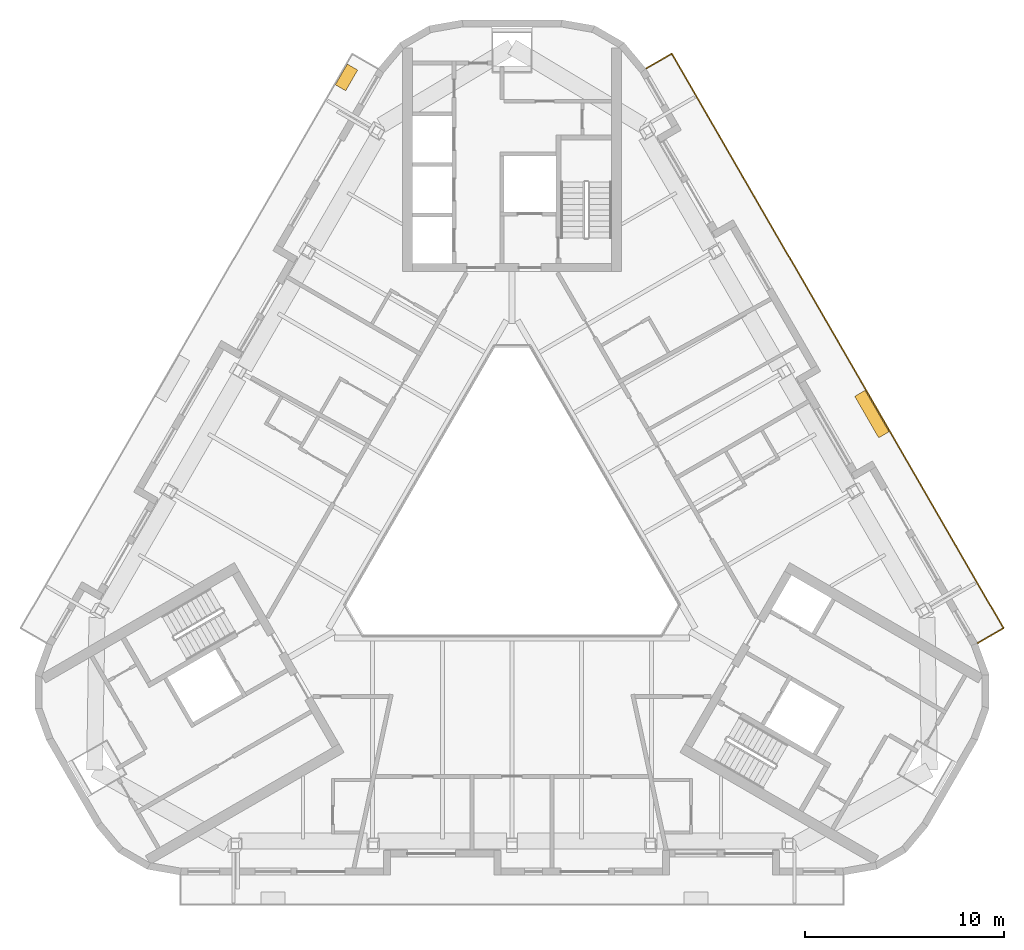
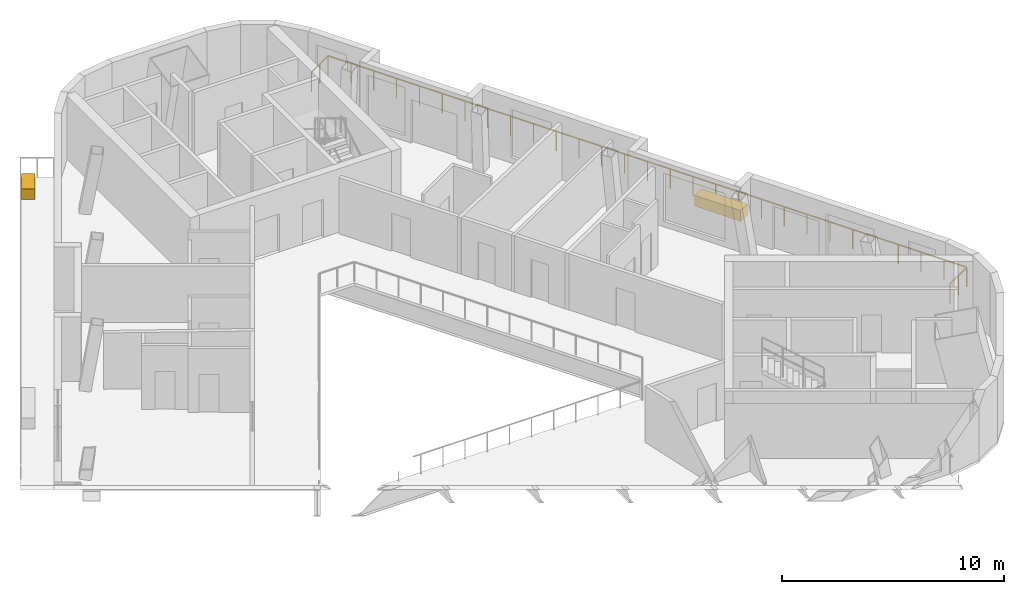
# One storey, part 12 of 13: 2 coverings, 1 railing.
"""IFC4 building model written with IfcOpenShell, lengths in metres."""

from ifc_helpers import new_model, si_unit, direction, frame, origin, origin_2d, place, context, subcontext, project, spatial, rectangle, extrude, material, type_object, element, save


model = new_model("IFC4")

# Units and contexts
model_context = context("Model", 3, precision=1e-05, world=origin(), true_north=direction((0.0, 1.0)))
body_context = subcontext(model_context, "Body", "Model", "MODEL_VIEW")
ifc_project = project(units=[si_unit("LENGTHUNIT", "METRE"), si_unit("AREAUNIT", "SQUARE_METRE"), si_unit("VOLUMEUNIT", "CUBIC_METRE"), si_unit("PLANEANGLEUNIT", "RADIAN"), si_unit("MASSUNIT", "GRAM", prefix="KILO")], contexts=[model_context])

# Site, building, storey
site_placement = place(None, origin())
site = spatial("IfcSite", under=ifc_project, at=site_placement, CompositionType="ELEMENT")
building_placement = place(site_placement, origin())
building = spatial("IfcBuilding", under=site, at=building_placement, Name="Apuvela Tower Hotel", CompositionType="ELEMENT")
storey_placement = place(building_placement, frame((0.0, 0.0, 298.5)))
storey = spatial("IfcBuildingStorey", under=building, at=storey_placement, Name="L74", CompositionType="ELEMENT", Elevation=298.5)

# Railing
ifc_material_1 = material(Name="Stainless steel 316 rail with laminated glass infill", Category="steel")
railing_type = type_object("IfcRailingType", Name="ENV-GUARD-1100", PredefinedType="GUARDRAIL", material=ifc_material_1)
railing_placement = place(storey_placement, frame((23.3564453125, -5.731201171875, 0.0)))
element("IfcRailing", 1, at=railing_placement, inside=storey, type_object=railing_type, Name="Balcony guard NE L74", PredefinedType="GUARDRAIL", context=body_context, shape_type="SweptSolid", body=[
    extrude(rectangle(XDim=0.050048828125, YDim=0.050048828125, at=origin_2d()), frame((0.0, 0.0, 1.0751953125), z_axis=(0.866031096941, 0.499990139034, 0.0), x_axis=(-0.499990139034, 0.866031096941, 0.0)), (0.0, 0.0, 1.0), 1.5),
    extrude(rectangle(XDim=0.050048828125, YDim=0.050048828125, at=origin_2d()), frame((1.299072265625, 0.75, 1.0751953125), z_axis=(-0.500001623856, 0.866024466248, 0.0), x_axis=(-0.866024466248, -0.500001623856, 0.0)), (0.0, 0.0, 1.0), 33.283203125),
    extrude(rectangle(XDim=0.050048828125, YDim=0.050048828125, at=origin_2d()), frame((-15.342529296875, 29.573974609375, 1.0751953125), z_axis=(-0.866031096941, -0.499990139034, 0.0), x_axis=(0.499990139034, -0.866031096941, 0.0)), (0.0, 0.0, 1.0), 1.5),
    extrude(rectangle(XDim=0.0400390625, YDim=0.0400390625, at=origin_2d()), origin(), (0.0, 0.0, 1.0), 1.050048828125),
    extrude(rectangle(XDim=0.0400390625, YDim=0.0400390625, at=origin_2d()), frame((0.6494140625, 0.375, 0.0)), (0.0, 0.0, 1.0), 1.050048828125),
    extrude(rectangle(XDim=0.0400390625, YDim=0.0400390625, at=origin_2d()), frame((1.299072265625, 0.75, 0.0)), (0.0, 0.0, 1.0), 1.050048828125),
    extrude(rectangle(XDim=0.0400390625, YDim=0.0400390625, at=origin_2d()), frame((0.704833984375, 1.779541015625, 0.0)), (0.0, 0.0, 1.0), 1.050048828125),
    extrude(rectangle(XDim=0.0400390625, YDim=0.0400390625, at=origin_2d()), frame((0.1103515625, 2.808837890625, 0.0)), (0.0, 0.0, 1.0), 1.050048828125),
    extrude(rectangle(XDim=0.0400390625, YDim=0.0400390625, at=origin_2d()), frame((-0.48388671875, 3.83837890625, 0.0)), (0.0, 0.0, 1.0), 1.050048828125),
    extrude(rectangle(XDim=0.0400390625, YDim=0.0400390625, at=origin_2d()), frame((-1.078369140625, 4.86767578125, 0.0)), (0.0, 0.0, 1.0), 1.050048828125),
    extrude(rectangle(XDim=0.0400390625, YDim=0.0400390625, at=origin_2d()), frame((-1.672607421875, 5.897216796875, 0.0)), (0.0, 0.0, 1.0), 1.050048828125),
    extrude(rectangle(XDim=0.0400390625, YDim=0.0400390625, at=origin_2d()), frame((-2.26708984375, 6.926513671875, 0.0)), (0.0, 0.0, 1.0), 1.050048828125),
    extrude(rectangle(XDim=0.0400390625, YDim=0.0400390625, at=origin_2d()), frame((-2.861328125, 7.9560546875, 0.0)), (0.0, 0.0, 1.0), 1.050048828125),
    extrude(rectangle(XDim=0.0400390625, YDim=0.0400390625, at=origin_2d()), frame((-3.45556640625, 8.9853515625, 0.0)), (0.0, 0.0, 1.0), 1.050048828125),
    extrude(rectangle(XDim=0.0400390625, YDim=0.0400390625, at=origin_2d()), frame((-4.050048828125, 10.014892578125, 0.0)), (0.0, 0.0, 1.0), 1.050048828125),
    extrude(rectangle(XDim=0.0400390625, YDim=0.0400390625, at=origin_2d()), frame((-4.644287109375, 11.044189453125, 0.0)), (0.0, 0.0, 1.0), 1.050048828125),
    extrude(rectangle(XDim=0.0400390625, YDim=0.0400390625, at=origin_2d()), frame((-5.23876953125, 12.07373046875, 0.0)), (0.0, 0.0, 1.0), 1.050048828125),
    extrude(rectangle(XDim=0.0400390625, YDim=0.0400390625, at=origin_2d()), frame((-5.8330078125, 13.10302734375, 0.0)), (0.0, 0.0, 1.0), 1.050048828125),
    extrude(rectangle(XDim=0.0400390625, YDim=0.0400390625, at=origin_2d()), frame((-6.427490234375, 14.132568359375, 0.0)), (0.0, 0.0, 1.0), 1.050048828125),
    extrude(rectangle(XDim=0.0400390625, YDim=0.0400390625, at=origin_2d()), frame((-7.021728515625, 15.162109375, 0.0)), (0.0, 0.0, 1.0), 1.050048828125),
    extrude(rectangle(XDim=0.0400390625, YDim=0.0400390625, at=origin_2d()), frame((-7.615966796875, 16.19140625, 0.0)), (0.0, 0.0, 1.0), 1.050048828125),
    extrude(rectangle(XDim=0.0400390625, YDim=0.0400390625, at=origin_2d()), frame((-8.21044921875, 17.220947265625, 0.0)), (0.0, 0.0, 1.0), 1.050048828125),
    extrude(rectangle(XDim=0.0400390625, YDim=0.0400390625, at=origin_2d()), frame((-8.8046875, 18.250244140625, 0.0)), (0.0, 0.0, 1.0), 1.050048828125),
    extrude(rectangle(XDim=0.0400390625, YDim=0.0400390625, at=origin_2d()), frame((-9.399169921875, 19.27978515625, 0.0)), (0.0, 0.0, 1.0), 1.050048828125),
    extrude(rectangle(XDim=0.0400390625, YDim=0.0400390625, at=origin_2d()), frame((-9.993408203125, 20.30908203125, 0.0)), (0.0, 0.0, 1.0), 1.050048828125),
    extrude(rectangle(XDim=0.0400390625, YDim=0.0400390625, at=origin_2d()), frame((-10.587890625, 21.338623046875, 0.0)), (0.0, 0.0, 1.0), 1.050048828125),
    extrude(rectangle(XDim=0.0400390625, YDim=0.0400390625, at=origin_2d()), frame((-11.18212890625, 22.367919921875, 0.0)), (0.0, 0.0, 1.0), 1.050048828125),
    extrude(rectangle(XDim=0.0400390625, YDim=0.0400390625, at=origin_2d()), frame((-11.7763671875, 23.3974609375, 0.0)), (0.0, 0.0, 1.0), 1.050048828125),
    extrude(rectangle(XDim=0.0400390625, YDim=0.0400390625, at=origin_2d()), frame((-12.370849609375, 24.4267578125, 0.0)), (0.0, 0.0, 1.0), 1.050048828125),
    extrude(rectangle(XDim=0.0400390625, YDim=0.0400390625, at=origin_2d()), frame((-12.965087890625, 25.456298828125, 0.0)), (0.0, 0.0, 1.0), 1.050048828125),
    extrude(rectangle(XDim=0.0400390625, YDim=0.0400390625, at=origin_2d()), frame((-13.5595703125, 26.485595703125, 0.0)), (0.0, 0.0, 1.0), 1.050048828125),
    extrude(rectangle(XDim=0.0400390625, YDim=0.0400390625, at=origin_2d()), frame((-14.15380859375, 27.51513671875, 0.0)), (0.0, 0.0, 1.0), 1.050048828125),
    extrude(rectangle(XDim=0.0400390625, YDim=0.0400390625, at=origin_2d()), frame((-14.748291015625, 28.54443359375, 0.0)), (0.0, 0.0, 1.0), 1.050048828125),
    extrude(rectangle(XDim=0.0400390625, YDim=0.0400390625, at=origin_2d()), frame((-15.342529296875, 29.573974609375, 0.0)), (0.0, 0.0, 1.0), 1.050048828125),
    extrude(rectangle(XDim=0.0400390625, YDim=0.0400390625, at=origin_2d()), frame((-15.9921875, 29.198974609375, 0.0)), (0.0, 0.0, 1.0), 1.050048828125),
    extrude(rectangle(XDim=0.0400390625, YDim=0.0400390625, at=origin_2d()), frame((-16.6416015625, 28.823974609375, 0.0)), (0.0, 0.0, 1.0), 1.050048828125),
])

# Coverings
ifc_material_2 = material(Name="Planting substrate and soil, planted")
covering_type_1 = type_object("IfcCoveringType", Name="ENV-PLANTER-1200x600", PredefinedType="USERDEFINED", material=ifc_material_2)
covering_1_placement = place(storey_placement, frame((-8.30078125, 22.645751953125, 0.0), z_axis=(0.0, 0.0, 1.0), x_axis=(-0.5, -0.866025403784, 0.0)))
element("IfcCovering", 2, at=covering_1_placement, inside=storey, type_object=covering_type_1, Name="Planter NW4", ObjectType="PLANTER", PredefinedType="USERDEFINED", context=body_context, shape_type="SweptSolid", body=[
    extrude(rectangle(XDim=1.199951171875, YDim=0.60009765625, at=origin_2d()), origin(), (0.0, 0.0, 1.0), 0.60009765625),
])
covering_type_2 = type_object("IfcCoveringType", Name="ENV-PLANTER-2400x600", PredefinedType="USERDEFINED", material=ifc_material_2)
covering_2_placement = place(storey_placement, frame((18.050048828125, 5.759521484375, 0.0), z_axis=(0.0, 0.0, 1.0), x_axis=(-0.5, 0.866025403784, 0.0)))
element("IfcCovering", 3, at=covering_2_placement, inside=storey, type_object=covering_type_2, Name="Planter NE3", ObjectType="PLANTER", PredefinedType="USERDEFINED", context=body_context, shape_type="SweptSolid", body=[
    extrude(rectangle(XDim=2.39990234375, YDim=0.60009765625, at=origin_2d()), origin(), (0.0, 0.0, 1.0), 0.60009765625),
])

save(model, "model.ifc")
